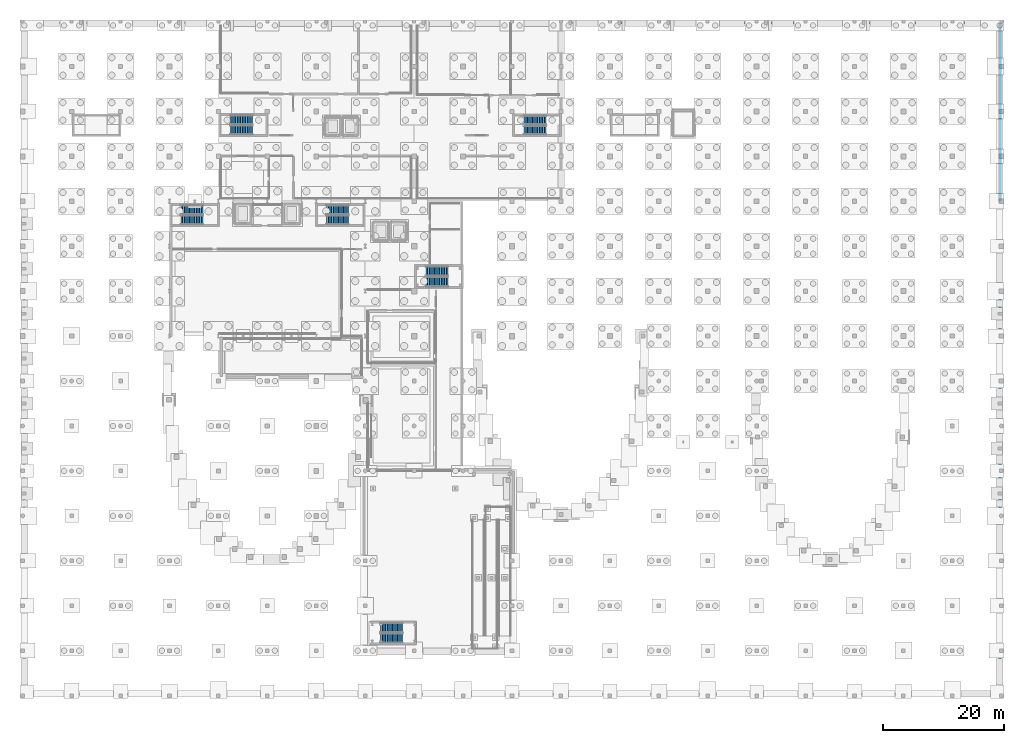
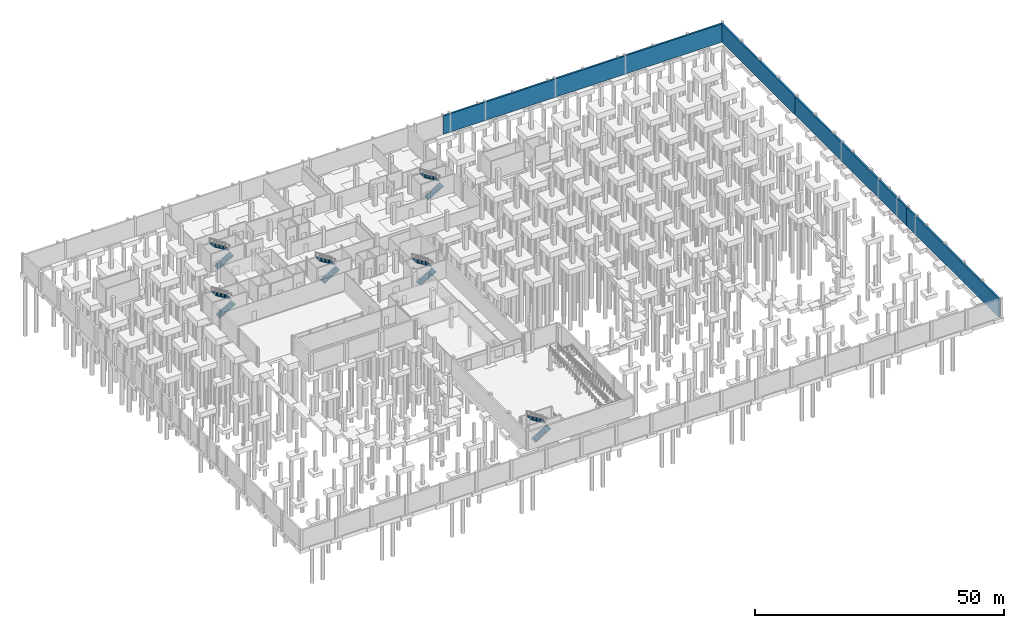
# One storey, part 31 of 37: 12 stair flights, 4 walls, 6 elements without a shape of their own.
"""IFC4 building model written with IfcOpenShell, lengths in metres."""

from ifc_helpers import new_model, si_unit, direction, frame, frame_2d, origin, place, context, subcontext, project, spatial, polyline, rectangle, outline, extrude, material, layer, layer_set, type_object, element, aggregate, save


model = new_model("IFC4")

# Units and contexts
model_context = context("Model", 3, precision=1e-05, world=origin(), true_north=direction((0.0, 1.0)))
body_context = subcontext(model_context, "Body", "Model", "MODEL_VIEW")
ifc_project = project(units=[si_unit("LENGTHUNIT", "METRE"), si_unit("AREAUNIT", "SQUARE_METRE"), si_unit("VOLUMEUNIT", "CUBIC_METRE"), si_unit("PLANEANGLEUNIT", "RADIAN"), si_unit("MASSUNIT", "GRAM", prefix="KILO")], contexts=[model_context])

# Site, building, storey
site_placement = place(None, origin())
site = spatial("IfcSite", under=ifc_project, at=site_placement, CompositionType="ELEMENT")
building_placement = place(site_placement, origin())
building = spatial("IfcBuilding", under=site, at=building_placement, Name="Kaelora Sail Theatre", CompositionType="ELEMENT")
storey_placement = place(building_placement, frame((0.0, 0.0, -4.800048828125)))
storey = spatial("IfcBuildingStorey", under=building, at=storey_placement, Name="B1", CompositionType="ELEMENT", Elevation=-4.800048828125)

# Walls
ifc_material_1 = material(Name="Concrete C45/55", Category="concrete")
ifc_layer = layer(ifc_material_1, 0.419921875)
ifc_layer_set = layer_set([ifc_layer], Name="Concrete C45/55")
wall_type = type_object("IfcWallType", Name="ARC-WL-RW-420", PredefinedType="USERDEFINED", material=ifc_layer_set)
wall_1_placement = place(storey_placement, frame((163.2900390625, 1.7099609375, 0.0), z_axis=(0.0, 0.0, 1.0), x_axis=(0.0, 1.0, 0.0)))
element("IfcWall", 1, at=wall_1_placement, inside=storey, type_object=wall_type, Name="Grounded concrete plinth retaining wall B1-PLINTH-ES", ObjectType="RETAINING WALL", PredefinedType="USERDEFINED", context=body_context, shape_type="SweptSolid", body=[
    extrude(rectangle(XDim=36.989990234375, YDim=0.419921875, at=frame_2d((18.4951171875, 0.0))), origin(), (0.0, 0.0, 1.0), 4.47998046875),
])
wall_2_placement = place(storey_placement, frame((163.2900390625, 38.699951171875, 0.0), z_axis=(0.0, 0.0, 1.0), x_axis=(0.0, 1.0, 0.0)))
element("IfcWall", 2, at=wall_2_placement, inside=storey, type_object=wall_type, Name="Grounded concrete plinth retaining wall B1-PLINTH-EM", ObjectType="RETAINING WALL", PredefinedType="USERDEFINED", context=body_context, shape_type="SweptSolid", body=[
    extrude(rectangle(XDim=44.64013671875, YDim=0.419921875, at=frame_2d((22.320068359375, 0.0))), origin(), (0.0, 0.0, 1.0), 4.47998046875),
])
wall_3_placement = place(storey_placement, frame((163.2900390625, 83.340087890625, 0.0), z_axis=(0.0, 0.0, 1.0), x_axis=(0.0, 1.0, 0.0)))
element("IfcWall", 3, at=wall_3_placement, inside=storey, type_object=wall_type, Name="Grounded concrete plinth retaining wall B1-PLINTH-EN", ObjectType="RETAINING WALL", PredefinedType="USERDEFINED", context=body_context, shape_type="SweptSolid", body=[
    extrude(rectangle(XDim=29.5498046875, YDim=0.419921875, at=frame_2d((14.77490234375, 0.0))), origin(), (0.0, 0.0, 1.0), 4.47998046875),
])
wall_4_placement = place(storey_placement, frame((98.699951171875, 112.889892578125, 0.0), z_axis=(0.0, 0.0, 1.0), x_axis=(1.0, 0.0, 0.0)))
element("IfcWall", 4, at=wall_4_placement, inside=storey, type_object=wall_type, Name="Grounded concrete plinth retaining wall B1-PLINTH-NE", ObjectType="RETAINING WALL", PredefinedType="USERDEFINED", context=body_context, shape_type="SweptSolid", body=[
    extrude(rectangle(XDim=64.590087890625, YDim=0.419921875, at=frame_2d((32.294921875, 0.0))), origin(), (0.0, 0.0, 1.0), 4.47998046875),
])

# Stair, stair flights
ifc_material_2 = material(Name="Concrete C40/50", Category="concrete")
stair_type_1 = type_object("IfcStairType", Name="ARC-ST-ESC150", PredefinedType="HALF_TURN_STAIR", material=ifc_material_2)
stair_1_placement = place(storey_placement, origin())
stair_1 = element("IfcStair", 5, at=stair_1_placement, inside=storey, type_object=stair_type_1, Name="B1 ST-K1", PredefinedType="HALF_TURN_STAIR")
ifc_material_3 = material(Name="Concrete C40/50", Category="concrete")
stair_flight_type_1 = type_object("IfcStairFlightType", Name="ARC-SF-150", PredefinedType="STRAIGHT", material=ifc_material_3)
stair_flight_1_placement = place(storey_placement, frame((27.7099609375, 80.22509765625, 0.0), z_axis=(0.0, 0.0, 1.0), x_axis=(1.0, 0.0, 0.0)))
stair_flight_1 = element("IfcStairFlight", 6, at=stair_flight_1_placement, type_object=stair_flight_type_1, Name="ST-K1 flight 1", NumberOfRisers=14, NumberOfTreads=13, PredefinedType="STRAIGHT", RiserHeight=0.171428571, TreadLength=0.28, context=body_context, shape_type="SweptSolid", body=[
    extrude(outline(polyline([(0.0, 0.0), (0.0, 0.17138671875), (0.280029296875, 0.17138671875), (0.280029296875, 0.3427734375), (0.56005859375, 0.3427734375), (0.56005859375, 0.514404296875), (0.840087890625, 0.514404296875), (0.840087890625, 0.685791015625), (1.1201171875, 0.685791015625), (1.1201171875, 0.857177734375), (1.39990234375, 0.857177734375), (1.39990234375, 1.028564453125), (1.679931640625, 1.028564453125), (1.679931640625, 1.199951171875), (1.9599609375, 1.199951171875), (1.9599609375, 1.371337890625), (2.239990234375, 1.371337890625), (2.239990234375, 1.54296875), (2.52001953125, 1.54296875), (2.52001953125, 1.71435546875), (2.800048828125, 1.71435546875), (2.800048828125, 1.8857421875), (3.080078125, 1.8857421875), (3.080078125, 2.05712890625), (3.360107421875, 2.05712890625), (3.360107421875, 2.228515625), (3.639892578125, 2.228515625), (3.639892578125, 2.39990234375), (3.639892578125, 2.052734375), (0.287109375, 0.0), (0.0, 0.0)])), frame((0.0, 0.77490234375, 0.0), z_axis=(0.0, -1.0, 0.0), x_axis=(1.0, 0.0, 0.0)), (0.0, 0.0, 1.0), 1.550048828125),
])
stair_flight_2_placement = place(storey_placement, frame((31.35009765625, 81.925048828125, 2.400146484375), z_axis=(0.0, 0.0, 1.0), x_axis=(-1.0, 0.0, 0.0)))
stair_flight_2 = element("IfcStairFlight", 7, at=stair_flight_2_placement, type_object=stair_flight_type_1, Name="ST-K1 flight 2", NumberOfRisers=14, NumberOfTreads=13, PredefinedType="STRAIGHT", RiserHeight=0.171428571, TreadLength=0.28, context=body_context, shape_type="SweptSolid", body=[
    extrude(outline(polyline([(0.0, 0.0), (0.0, 0.17138671875), (0.280029296875, 0.17138671875), (0.280029296875, 0.3427734375), (0.56005859375, 0.3427734375), (0.56005859375, 0.514404296875), (0.840087890625, 0.514404296875), (0.840087890625, 0.685791015625), (1.1201171875, 0.685791015625), (1.1201171875, 0.857177734375), (1.39990234375, 0.857177734375), (1.39990234375, 1.028564453125), (1.679931640625, 1.028564453125), (1.679931640625, 1.199951171875), (1.9599609375, 1.199951171875), (1.9599609375, 1.371337890625), (2.239990234375, 1.371337890625), (2.239990234375, 1.54296875), (2.52001953125, 1.54296875), (2.52001953125, 1.71435546875), (2.800048828125, 1.71435546875), (2.800048828125, 1.8857421875), (3.080078125, 1.8857421875), (3.080078125, 2.05712890625), (3.360107421875, 2.05712890625), (3.360107421875, 2.228515625), (3.639892578125, 2.228515625), (3.639892578125, 2.39990234375), (3.639892578125, 2.052734375), (0.287109375, 0.0), (0.0, 0.0)])), frame((0.0, 0.77490234375, 0.0), z_axis=(0.0, -1.0, 0.0), x_axis=(1.0, 0.0, 0.0)), (0.0, 0.0, 1.0), 1.550048828125),
])
aggregate(stair_1, [stair_flight_1, stair_flight_2])

stair_2_placement = place(storey_placement, origin())
stair_2 = element("IfcStair", 8, at=stair_2_placement, inside=storey, type_object=stair_type_1, Name="B1 ST-K5", PredefinedType="HALF_TURN_STAIR")
stair_flight_3_placement = place(storey_placement, frame((51.81005859375, 80.22509765625, 0.0), z_axis=(0.0, 0.0, 1.0), x_axis=(1.0, 0.0, 0.0)))
stair_flight_3 = element("IfcStairFlight", 9, at=stair_flight_3_placement, type_object=stair_flight_type_1, Name="ST-K5 flight 1", NumberOfRisers=14, NumberOfTreads=13, PredefinedType="STRAIGHT", RiserHeight=0.171428571, TreadLength=0.28, context=body_context, shape_type="SweptSolid", body=[
    extrude(outline(polyline([(0.0, 0.0), (0.0, 0.17138671875), (0.280029296875, 0.17138671875), (0.280029296875, 0.3427734375), (0.56005859375, 0.3427734375), (0.56005859375, 0.514404296875), (0.840087890625, 0.514404296875), (0.840087890625, 0.685791015625), (1.1201171875, 0.685791015625), (1.1201171875, 0.857177734375), (1.39990234375, 0.857177734375), (1.39990234375, 1.028564453125), (1.679931640625, 1.028564453125), (1.679931640625, 1.199951171875), (1.9599609375, 1.199951171875), (1.9599609375, 1.371337890625), (2.239990234375, 1.371337890625), (2.239990234375, 1.54296875), (2.52001953125, 1.54296875), (2.52001953125, 1.71435546875), (2.800048828125, 1.71435546875), (2.800048828125, 1.8857421875), (3.080078125, 1.8857421875), (3.080078125, 2.05712890625), (3.360107421875, 2.05712890625), (3.360107421875, 2.228515625), (3.639892578125, 2.228515625), (3.639892578125, 2.39990234375), (3.639892578125, 2.052734375), (0.287109375, 0.0), (0.0, 0.0)])), frame((0.0, 0.77490234375, 0.0), z_axis=(0.0, -1.0, 0.0), x_axis=(1.0, 0.0, 0.0)), (0.0, 0.0, 1.0), 1.550048828125),
])
stair_flight_4_placement = place(storey_placement, frame((55.449951171875, 81.925048828125, 2.400146484375), z_axis=(0.0, 0.0, 1.0), x_axis=(-1.0, 0.0, 0.0)))
stair_flight_4 = element("IfcStairFlight", 10, at=stair_flight_4_placement, type_object=stair_flight_type_1, Name="ST-K5 flight 2", NumberOfRisers=14, NumberOfTreads=13, PredefinedType="STRAIGHT", RiserHeight=0.171428571, TreadLength=0.28, context=body_context, shape_type="SweptSolid", body=[
    extrude(outline(polyline([(0.0, 0.0), (0.0, 0.17138671875), (0.280029296875, 0.17138671875), (0.280029296875, 0.3427734375), (0.56005859375, 0.3427734375), (0.56005859375, 0.514404296875), (0.840087890625, 0.514404296875), (0.840087890625, 0.685791015625), (1.1201171875, 0.685791015625), (1.1201171875, 0.857177734375), (1.39990234375, 0.857177734375), (1.39990234375, 1.028564453125), (1.679931640625, 1.028564453125), (1.679931640625, 1.199951171875), (1.9599609375, 1.199951171875), (1.9599609375, 1.371337890625), (2.239990234375, 1.371337890625), (2.239990234375, 1.54296875), (2.52001953125, 1.54296875), (2.52001953125, 1.71435546875), (2.800048828125, 1.71435546875), (2.800048828125, 1.8857421875), (3.080078125, 1.8857421875), (3.080078125, 2.05712890625), (3.360107421875, 2.05712890625), (3.360107421875, 2.228515625), (3.639892578125, 2.228515625), (3.639892578125, 2.39990234375), (3.639892578125, 2.052734375), (0.287109375, 0.0), (0.0, 0.0)])), frame((0.0, 0.77490234375, 0.0), z_axis=(0.0, -1.0, 0.0), x_axis=(1.0, 0.0, 0.0)), (0.0, 0.0, 1.0), 1.550048828125),
])
aggregate(stair_2, [stair_flight_3, stair_flight_4])

stair_3_placement = place(storey_placement, origin())
stair_3 = element("IfcStair", 11, at=stair_3_placement, inside=storey, type_object=stair_type_1, Name="B1 ST-K2", PredefinedType="HALF_TURN_STAIR")
stair_flight_5_placement = place(storey_placement, frame((35.89990234375, 95.125, 0.0), z_axis=(0.0, 0.0, 1.0), x_axis=(1.0, 0.0, 0.0)))
stair_flight_5 = element("IfcStairFlight", 12, at=stair_flight_5_placement, type_object=stair_flight_type_1, Name="ST-K2 flight 1", NumberOfRisers=14, NumberOfTreads=13, PredefinedType="STRAIGHT", RiserHeight=0.171428571, TreadLength=0.28, context=body_context, shape_type="SweptSolid", body=[
    extrude(outline(polyline([(0.0, 0.0), (0.0, 0.17138671875), (0.280029296875, 0.17138671875), (0.280029296875, 0.3427734375), (0.56005859375, 0.3427734375), (0.56005859375, 0.514404296875), (0.840087890625, 0.514404296875), (0.840087890625, 0.685791015625), (1.1201171875, 0.685791015625), (1.1201171875, 0.857177734375), (1.39990234375, 0.857177734375), (1.39990234375, 1.028564453125), (1.679931640625, 1.028564453125), (1.679931640625, 1.199951171875), (1.9599609375, 1.199951171875), (1.9599609375, 1.371337890625), (2.239990234375, 1.371337890625), (2.239990234375, 1.54296875), (2.52001953125, 1.54296875), (2.52001953125, 1.71435546875), (2.800048828125, 1.71435546875), (2.800048828125, 1.8857421875), (3.080078125, 1.8857421875), (3.080078125, 2.05712890625), (3.360107421875, 2.05712890625), (3.360107421875, 2.228515625), (3.639892578125, 2.228515625), (3.639892578125, 2.39990234375), (3.639892578125, 2.052734375), (0.287109375, 0.0), (0.0, 0.0)])), frame((0.0, 0.77490234375, 0.0), z_axis=(0.0, -1.0, 0.0), x_axis=(1.0, 0.0, 0.0)), (0.0, 0.0, 1.0), 1.550048828125),
])
stair_flight_6_placement = place(storey_placement, frame((39.5400390625, 96.824951171875, 2.400146484375), z_axis=(0.0, 0.0, 1.0), x_axis=(-1.0, 0.0, 0.0)))
stair_flight_6 = element("IfcStairFlight", 13, at=stair_flight_6_placement, type_object=stair_flight_type_1, Name="ST-K2 flight 2", NumberOfRisers=14, NumberOfTreads=13, PredefinedType="STRAIGHT", RiserHeight=0.171428571, TreadLength=0.28, context=body_context, shape_type="SweptSolid", body=[
    extrude(outline(polyline([(0.0, 0.0), (0.0, 0.17138671875), (0.280029296875, 0.17138671875), (0.280029296875, 0.3427734375), (0.56005859375, 0.3427734375), (0.56005859375, 0.514404296875), (0.840087890625, 0.514404296875), (0.840087890625, 0.685791015625), (1.1201171875, 0.685791015625), (1.1201171875, 0.857177734375), (1.39990234375, 0.857177734375), (1.39990234375, 1.028564453125), (1.679931640625, 1.028564453125), (1.679931640625, 1.199951171875), (1.9599609375, 1.199951171875), (1.9599609375, 1.371337890625), (2.239990234375, 1.371337890625), (2.239990234375, 1.54296875), (2.52001953125, 1.54296875), (2.52001953125, 1.71435546875), (2.800048828125, 1.71435546875), (2.800048828125, 1.8857421875), (3.080078125, 1.8857421875), (3.080078125, 2.05712890625), (3.360107421875, 2.05712890625), (3.360107421875, 2.228515625), (3.639892578125, 2.228515625), (3.639892578125, 2.39990234375), (3.639892578125, 2.052734375), (0.287109375, 0.0), (0.0, 0.0)])), frame((0.0, 0.77490234375, 0.0), z_axis=(0.0, -1.0, 0.0), x_axis=(1.0, 0.0, 0.0)), (0.0, 0.0, 1.0), 1.550048828125),
])
aggregate(stair_3, [stair_flight_5, stair_flight_6])

stair_4_placement = place(storey_placement, origin())
stair_4 = element("IfcStair", 14, at=stair_4_placement, inside=storey, type_object=stair_type_1, Name="B1 ST-K3", PredefinedType="HALF_TURN_STAIR")
stair_flight_7_placement = place(storey_placement, frame((84.5, 95.10009765625, 0.0), z_axis=(0.0, 0.0, 1.0), x_axis=(1.0, 0.0, 0.0)))
stair_flight_7 = element("IfcStairFlight", 15, at=stair_flight_7_placement, type_object=stair_flight_type_1, Name="ST-K3 flight 1", NumberOfRisers=14, NumberOfTreads=13, PredefinedType="STRAIGHT", RiserHeight=0.171428571, TreadLength=0.28, context=body_context, shape_type="SweptSolid", body=[
    extrude(outline(polyline([(0.0, 0.0), (0.0, 0.17138671875), (0.280029296875, 0.17138671875), (0.280029296875, 0.3427734375), (0.56005859375, 0.3427734375), (0.56005859375, 0.514404296875), (0.840087890625, 0.514404296875), (0.840087890625, 0.685791015625), (1.1201171875, 0.685791015625), (1.1201171875, 0.857177734375), (1.39990234375, 0.857177734375), (1.39990234375, 1.028564453125), (1.679931640625, 1.028564453125), (1.679931640625, 1.199951171875), (1.9599609375, 1.199951171875), (1.9599609375, 1.371337890625), (2.239990234375, 1.371337890625), (2.239990234375, 1.54296875), (2.52001953125, 1.54296875), (2.52001953125, 1.71435546875), (2.800048828125, 1.71435546875), (2.800048828125, 1.8857421875), (3.080078125, 1.8857421875), (3.080078125, 2.05712890625), (3.360107421875, 2.05712890625), (3.360107421875, 2.228515625), (3.639892578125, 2.228515625), (3.639892578125, 2.39990234375), (3.639892578125, 2.052734375), (0.287109375, 0.0), (0.0, 0.0)])), frame((0.0, 0.75, 0.0), z_axis=(0.0, -1.0, 0.0), x_axis=(1.0, 0.0, 0.0)), (0.0, 0.0, 1.0), 1.5),
])
stair_flight_8_placement = place(storey_placement, frame((88.139892578125, 96.75, 2.400146484375), z_axis=(0.0, 0.0, 1.0), x_axis=(-1.0, 0.0, 0.0)))
stair_flight_8 = element("IfcStairFlight", 16, at=stair_flight_8_placement, type_object=stair_flight_type_1, Name="ST-K3 flight 2", NumberOfRisers=14, NumberOfTreads=13, PredefinedType="STRAIGHT", RiserHeight=0.171428571, TreadLength=0.28, context=body_context, shape_type="SweptSolid", body=[
    extrude(outline(polyline([(0.0, 0.0), (0.0, 0.17138671875), (0.280029296875, 0.17138671875), (0.280029296875, 0.3427734375), (0.56005859375, 0.3427734375), (0.56005859375, 0.514404296875), (0.840087890625, 0.514404296875), (0.840087890625, 0.685791015625), (1.1201171875, 0.685791015625), (1.1201171875, 0.857177734375), (1.39990234375, 0.857177734375), (1.39990234375, 1.028564453125), (1.679931640625, 1.028564453125), (1.679931640625, 1.199951171875), (1.9599609375, 1.199951171875), (1.9599609375, 1.371337890625), (2.239990234375, 1.371337890625), (2.239990234375, 1.54296875), (2.52001953125, 1.54296875), (2.52001953125, 1.71435546875), (2.800048828125, 1.71435546875), (2.800048828125, 1.8857421875), (3.080078125, 1.8857421875), (3.080078125, 2.05712890625), (3.360107421875, 2.05712890625), (3.360107421875, 2.228515625), (3.639892578125, 2.228515625), (3.639892578125, 2.39990234375), (3.639892578125, 2.052734375), (0.287109375, 0.0), (0.0, 0.0)])), frame((0.0, 0.75, 0.0), z_axis=(0.0, -1.0, 0.0), x_axis=(1.0, 0.0, 0.0)), (0.0, 0.0, 1.0), 1.5),
])
aggregate(stair_4, [stair_flight_7, stair_flight_8])

ifc_material_4 = material(Name="Precast concrete C45/55", Category="concrete")
stair_type_2 = type_object("IfcStairType", Name="ARC-ST-FOY165", PredefinedType="HALF_TURN_STAIR", material=ifc_material_4)
stair_5_placement = place(storey_placement, origin())
stair_5 = element("IfcStair", 17, at=stair_5_placement, inside=storey, type_object=stair_type_2, Name="B1 ST-F1", PredefinedType="HALF_TURN_STAIR")
ifc_material_5 = material(Name="Precast concrete C45/55", Category="concrete")
stair_flight_type_2 = type_object("IfcStairFlightType", Name="ARC-SF-165", PredefinedType="STRAIGHT", material=ifc_material_5)
stair_flight_9_placement = place(storey_placement, frame((68.27001953125, 70.0, 0.0), z_axis=(0.0, 0.0, 1.0), x_axis=(1.0, 0.0, 0.0)))
stair_flight_9 = element("IfcStairFlight", 18, at=stair_flight_9_placement, type_object=stair_flight_type_2, Name="ST-F1 flight 1", NumberOfRisers=14, NumberOfTreads=13, PredefinedType="STRAIGHT", RiserHeight=0.171428571, TreadLength=0.28, context=body_context, shape_type="SweptSolid", body=[
    extrude(outline(polyline([(0.0, 0.0), (0.0, 0.17138671875), (0.280029296875, 0.17138671875), (0.280029296875, 0.3427734375), (0.56005859375, 0.3427734375), (0.56005859375, 0.514404296875), (0.840087890625, 0.514404296875), (0.840087890625, 0.685791015625), (1.1201171875, 0.685791015625), (1.1201171875, 0.857177734375), (1.39990234375, 0.857177734375), (1.39990234375, 1.028564453125), (1.679931640625, 1.028564453125), (1.679931640625, 1.199951171875), (1.9599609375, 1.199951171875), (1.9599609375, 1.371337890625), (2.239990234375, 1.371337890625), (2.239990234375, 1.54296875), (2.52001953125, 1.54296875), (2.52001953125, 1.71435546875), (2.800048828125, 1.71435546875), (2.800048828125, 1.8857421875), (3.080078125, 1.8857421875), (3.080078125, 2.05712890625), (3.360107421875, 2.05712890625), (3.360107421875, 2.228515625), (3.639892578125, 2.228515625), (3.639892578125, 2.39990234375), (3.639892578125, 2.052734375), (0.287109375, 0.0), (0.0, 0.0)])), frame((0.0, 0.800048828125, 0.0), z_axis=(0.0, -1.0, 0.0), x_axis=(1.0, 0.0, 0.0)), (0.0, 0.0, 1.0), 1.60009765625),
])
stair_flight_10_placement = place(storey_placement, frame((71.909912109375, 71.75, 2.400146484375), z_axis=(0.0, 0.0, 1.0), x_axis=(-1.0, 0.0, 0.0)))
stair_flight_10 = element("IfcStairFlight", 19, at=stair_flight_10_placement, type_object=stair_flight_type_2, Name="ST-F1 flight 2", NumberOfRisers=14, NumberOfTreads=13, PredefinedType="STRAIGHT", RiserHeight=0.171428571, TreadLength=0.28, context=body_context, shape_type="SweptSolid", body=[
    extrude(outline(polyline([(0.0, 0.0), (0.0, 0.17138671875), (0.280029296875, 0.17138671875), (0.280029296875, 0.3427734375), (0.56005859375, 0.3427734375), (0.56005859375, 0.514404296875), (0.840087890625, 0.514404296875), (0.840087890625, 0.685791015625), (1.1201171875, 0.685791015625), (1.1201171875, 0.857177734375), (1.39990234375, 0.857177734375), (1.39990234375, 1.028564453125), (1.679931640625, 1.028564453125), (1.679931640625, 1.199951171875), (1.9599609375, 1.199951171875), (1.9599609375, 1.371337890625), (2.239990234375, 1.371337890625), (2.239990234375, 1.54296875), (2.52001953125, 1.54296875), (2.52001953125, 1.71435546875), (2.800048828125, 1.71435546875), (2.800048828125, 1.8857421875), (3.080078125, 1.8857421875), (3.080078125, 2.05712890625), (3.360107421875, 2.05712890625), (3.360107421875, 2.228515625), (3.639892578125, 2.228515625), (3.639892578125, 2.39990234375), (3.639892578125, 2.052734375), (0.287109375, 0.0), (0.0, 0.0)])), frame((0.0, 0.800048828125, 0.0), z_axis=(0.0, -1.0, 0.0), x_axis=(1.0, 0.0, 0.0)), (0.0, 0.0, 1.0), 1.60009765625),
])
aggregate(stair_5, [stair_flight_9, stair_flight_10])

stair_6_placement = place(storey_placement, origin())
stair_6 = element("IfcStair", 20, at=stair_6_placement, inside=storey, type_object=stair_type_2, Name="B1 ST-PLZ", PredefinedType="HALF_TURN_STAIR")
stair_flight_11_placement = place(storey_placement, frame((60.75, 11.0, 0.0), z_axis=(0.0, 0.0, 1.0), x_axis=(1.0, 0.0, 0.0)))
stair_flight_11 = element("IfcStairFlight", 21, at=stair_flight_11_placement, type_object=stair_flight_type_2, Name="ST-PLZ flight 1", NumberOfRisers=14, NumberOfTreads=13, PredefinedType="STRAIGHT", RiserHeight=0.171428571, TreadLength=0.28, context=body_context, shape_type="SweptSolid", body=[
    extrude(outline(polyline([(0.0, 0.0), (0.0, 0.17138671875), (0.280029296875, 0.17138671875), (0.280029296875, 0.3427734375), (0.56005859375, 0.3427734375), (0.56005859375, 0.514404296875), (0.840087890625, 0.514404296875), (0.840087890625, 0.685791015625), (1.1201171875, 0.685791015625), (1.1201171875, 0.857177734375), (1.39990234375, 0.857177734375), (1.39990234375, 1.028564453125), (1.679931640625, 1.028564453125), (1.679931640625, 1.199951171875), (1.9599609375, 1.199951171875), (1.9599609375, 1.371337890625), (2.239990234375, 1.371337890625), (2.239990234375, 1.54296875), (2.52001953125, 1.54296875), (2.52001953125, 1.71435546875), (2.800048828125, 1.71435546875), (2.800048828125, 1.8857421875), (3.080078125, 1.8857421875), (3.080078125, 2.05712890625), (3.360107421875, 2.05712890625), (3.360107421875, 2.228515625), (3.639892578125, 2.228515625), (3.639892578125, 2.39990234375), (3.639892578125, 2.052734375), (0.287109375, 0.0), (0.0, 0.0)])), frame((0.0, 0.800048828125, 0.0), z_axis=(0.0, -1.0, 0.0), x_axis=(1.0, 0.0, 0.0)), (0.0, 0.0, 1.0), 1.60009765625),
])
stair_flight_12_placement = place(storey_placement, frame((64.389892578125, 12.75, 2.400146484375), z_axis=(0.0, 0.0, 1.0), x_axis=(-1.0, 0.0, 0.0)))
stair_flight_12 = element("IfcStairFlight", 22, at=stair_flight_12_placement, type_object=stair_flight_type_2, Name="ST-PLZ flight 2", NumberOfRisers=14, NumberOfTreads=13, PredefinedType="STRAIGHT", RiserHeight=0.171428571, TreadLength=0.28, context=body_context, shape_type="SweptSolid", body=[
    extrude(outline(polyline([(0.0, 0.0), (0.0, 0.17138671875), (0.280029296875, 0.17138671875), (0.280029296875, 0.3427734375), (0.56005859375, 0.3427734375), (0.56005859375, 0.514404296875), (0.840087890625, 0.514404296875), (0.840087890625, 0.685791015625), (1.1201171875, 0.685791015625), (1.1201171875, 0.857177734375), (1.39990234375, 0.857177734375), (1.39990234375, 1.028564453125), (1.679931640625, 1.028564453125), (1.679931640625, 1.199951171875), (1.9599609375, 1.199951171875), (1.9599609375, 1.371337890625), (2.239990234375, 1.371337890625), (2.239990234375, 1.54296875), (2.52001953125, 1.54296875), (2.52001953125, 1.71435546875), (2.800048828125, 1.71435546875), (2.800048828125, 1.8857421875), (3.080078125, 1.8857421875), (3.080078125, 2.05712890625), (3.360107421875, 2.05712890625), (3.360107421875, 2.228515625), (3.639892578125, 2.228515625), (3.639892578125, 2.39990234375), (3.639892578125, 2.052734375), (0.287109375, 0.0), (0.0, 0.0)])), frame((0.0, 0.800048828125, 0.0), z_axis=(0.0, -1.0, 0.0), x_axis=(1.0, 0.0, 0.0)), (0.0, 0.0, 1.0), 1.60009765625),
])
aggregate(stair_6, [stair_flight_11, stair_flight_12])

save(model, "model.ifc")
